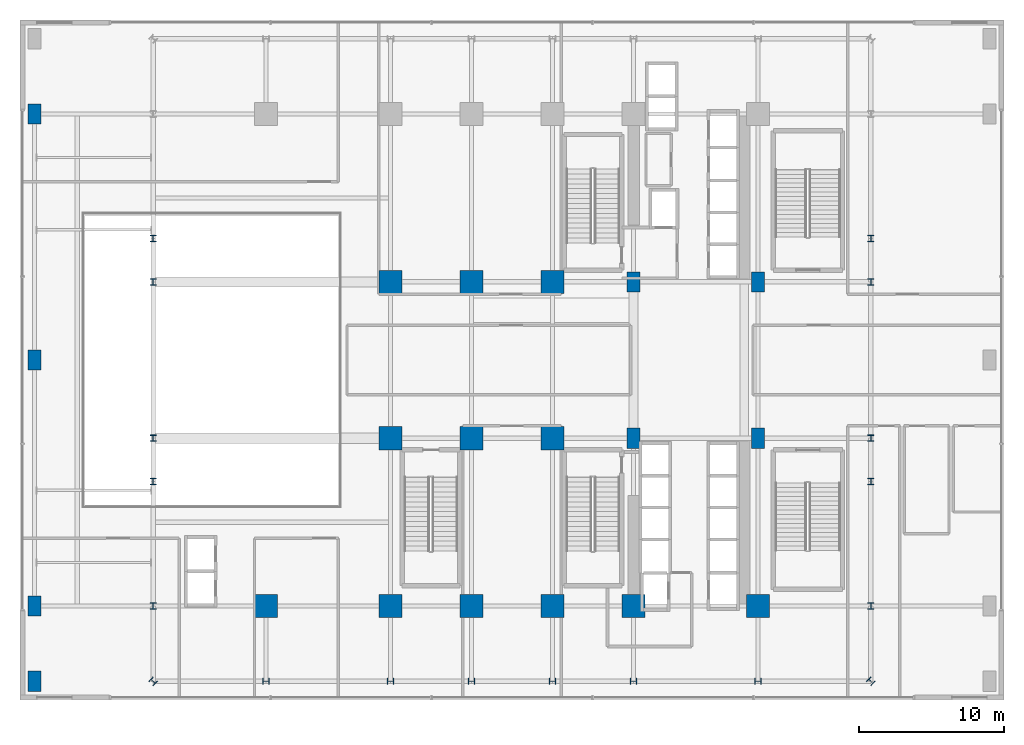
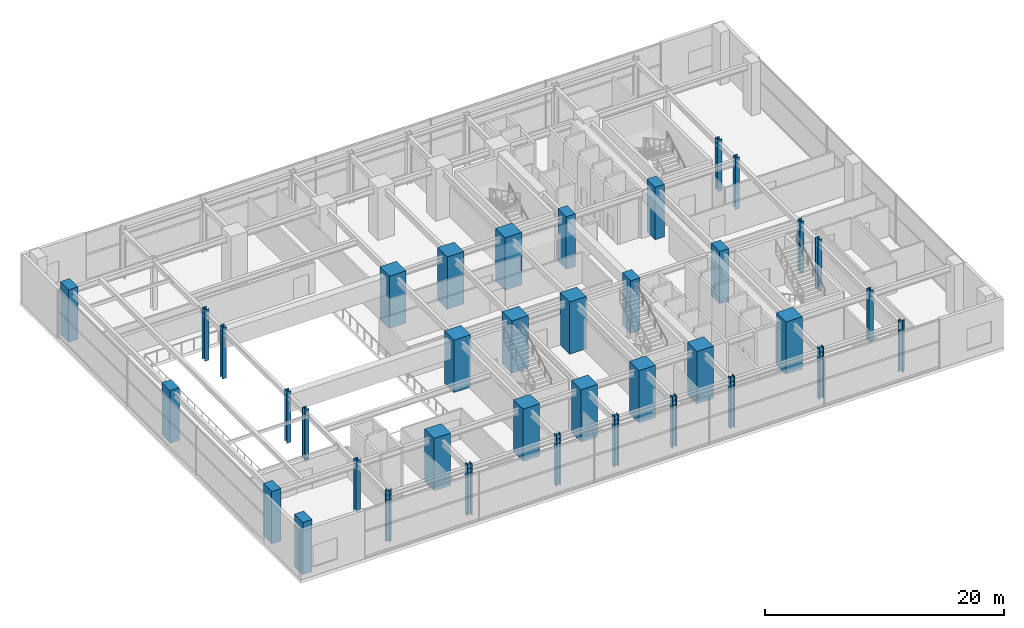
# One storey, part 1 of 35: 38 columns.
"""IFC4 building model written with IfcOpenShell, lengths in metres."""

from ifc_helpers import new_model, si_unit, direction, frame, origin, origin_2d, place, context, subcontext, project, spatial, rectangle, i_section, extrude, source, transform, mapped, material, material_profile, profile_set, type_object, element, save


model = new_model("IFC4")

# Units and contexts
model_context = context("Model", 3, precision=1e-05, world=origin(), true_north=direction((0.0, 1.0)))
body_context = subcontext(model_context, "Body", "Model", "MODEL_VIEW")
ifc_project = project(units=[si_unit("LENGTHUNIT", "METRE"), si_unit("AREAUNIT", "SQUARE_METRE"), si_unit("VOLUMEUNIT", "CUBIC_METRE"), si_unit("PLANEANGLEUNIT", "RADIAN"), si_unit("MASSUNIT", "GRAM", prefix="KILO")], contexts=[model_context])

# Site, building, storey
site_placement = place(None, origin())
site = spatial("IfcSite", under=ifc_project, at=site_placement, CompositionType="ELEMENT")
building_placement = place(site_placement, origin())
building = spatial("IfcBuilding", under=site, at=building_placement, Name="Nahalor Promenade Grand Hotel", CompositionType="ELEMENT")
storey_placement = place(building_placement, frame((0.0, 0.0, 21.60009765625)))
storey = spatial("IfcBuildingStorey", under=building, at=storey_placement, Name="L04", CompositionType="ELEMENT", Elevation=21.60009765625)

# Columns
ifc_material_1 = material(Name="Concrete B-70 (C60/75)", Category="concrete")
ifc_material_profile_1 = material_profile(ifc_material_1, rectangle(XDim=1.6, YDim=1.6, at=origin_2d()), Name="RC 1600x1600")
ifc_profile_set_1 = profile_set([ifc_material_profile_1], Name="Concrete B-70 (C60/75)")
column_type_1 = type_object("IfcColumnType", Name="Col-RC-1600", PredefinedType="COLUMN", material=ifc_profile_set_1)
shared_shape_1 = source(origin(), body_context, "Body", "SweptSolid", [
    extrude(rectangle(XDim=1.6, YDim=1.6, at=origin_2d()), origin(), (0.0, 0.0, 1.0), 5.35498046875),
])
for number, where, z_axis, x_axis, name in (
    (1, (-17.0, -17.0, 0.0), (0.0, 0.0, 1.0), (1.0, 0.0, 0.0), "COL-L04-I00"),
    (2, (-8.39990234375, -17.0, 0.0), (0.0, 0.0, 1.0), (1.0, 0.0, 0.0), "COL-L04-I10"),
    (3, (-8.39990234375, -5.39990234375, 0.0), (0.0, 0.0, 1.0), (1.0, 0.0, 0.0), "COL-L04-I11"),
    (4, (-8.39990234375, 5.39990234375, 0.0), (0.0, 0.0, 1.0), (1.0, 0.0, 0.0), "COL-L04-I12"),
    (5, (-2.800048828125, -17.0, 0.0), (0.0, 0.0, 1.0), (1.0, 0.0, 0.0), "COL-L04-I20"),
    (6, (-2.800048828125, -5.39990234375, 0.0), (0.0, 0.0, 1.0), (1.0, 0.0, 0.0), "COL-L04-I21"),
    (7, (-2.800048828125, 5.39990234375, 0.0), (0.0, 0.0, 1.0), (1.0, 0.0, 0.0), "COL-L04-I22"),
    (8, (2.800048828125, -17.0, 0.0), (0.0, 0.0, 1.0), (1.0, 0.0, 0.0), "COL-L04-I30"),
    (9, (2.800048828125, -5.39990234375, 0.0), (0.0, 0.0, 1.0), (1.0, 0.0, 0.0), "COL-L04-I31"),
    (10, (2.800048828125, 5.39990234375, 0.0), (0.0, 0.0, 1.0), (1.0, 0.0, 0.0), "COL-L04-I32"),
    (11, (8.39990234375, -17.0, 0.0), (0.0, 0.0, 1.0), (1.0, 0.0, 0.0), "COL-L04-I40"),
    (12, (17.0, -17.0, 0.0), (0.0, 0.0, 1.0), (1.0, 0.0, 0.0), "COL-L04-I50"),
):
    element("IfcColumn", number, at=place(storey_placement, frame(where, z_axis=z_axis, x_axis=x_axis)), inside=storey, type_object=column_type_1, Name=name, PredefinedType="COLUMN", context=body_context, shape_type="MappedRepresentation", body=[
        mapped(shared_shape_1, transform((0.0, 0.0, 0.0), scale=1.0)),
    ])
ifc_material_2 = material(Name="Concrete B-60 (C50/60)", Category="concrete")
ifc_material_profile_2 = material_profile(ifc_material_2, rectangle(XDim=0.9, YDim=1.4, at=origin_2d()), Name="RC 900x1400")
ifc_profile_set_2 = profile_set([ifc_material_profile_2], Name="Concrete B-60 (C50/60)")
column_type_2 = type_object("IfcColumnType", Name="Col-Pilaster-1400", PredefinedType="PILASTER", material=ifc_profile_set_2)
shared_shape_2 = source(origin(), body_context, "Body", "SweptSolid", [
    extrude(rectangle(XDim=0.9, YDim=1.4, at=origin_2d()), origin(), (0.0, 0.0, 1.0), 5.35498046875),
])
for number, where, z_axis, x_axis, name in (
    (13, (8.39990234375, -5.39990234375, 0.0), (0.0, 0.0, 1.0), (1.0, 0.0, 0.0), "COL-L04-I41"),
    (14, (8.39990234375, 5.39990234375, 0.0), (0.0, 0.0, 1.0), (1.0, 0.0, 0.0), "COL-L04-I42"),
    (15, (17.0, -5.39990234375, 0.0), (0.0, 0.0, 1.0), (1.0, 0.0, 0.0), "COL-L04-I51"),
    (16, (17.0, 5.39990234375, 0.0), (0.0, 0.0, 1.0), (1.0, 0.0, 0.0), "COL-L04-I52"),
    (17, (-33.0, -22.199951171875, 0.0), (0.0, 0.0, 1.0), (1.0, 0.0, 0.0), "COL-L04-PC-W0"),
    (18, (-33.0, -17.0, 0.0), (0.0, 0.0, 1.0), (1.0, 0.0, 0.0), "COL-L04-PC-W1"),
    (19, (-33.0, 0.0, 0.0), (0.0, 0.0, 1.0), (1.0, 0.0, 0.0), "COL-L04-PC-W2"),
    (20, (-33.0, 17.0, 0.0), (0.0, 0.0, 1.0), (1.0, 0.0, 0.0), "COL-L04-PC-W3"),
):
    element("IfcColumn", number, at=place(storey_placement, frame(where, z_axis=z_axis, x_axis=x_axis)), inside=storey, type_object=column_type_2, Name=name, PredefinedType="PILASTER", context=body_context, shape_type="MappedRepresentation", body=[
        mapped(shared_shape_2, transform((0.0, 0.0, 0.0), scale=1.0)),
    ])
ifc_material_3 = material(Name="Steel S355J2", Category="steel")
ifc_material_profile_3 = material_profile(ifc_material_3, i_section(OverallWidth=0.416, OverallDepth=0.446, WebThickness=0.025, FlangeThickness=0.04, at=origin_2d()), Name="HD 400x509")
ifc_profile_set_3 = profile_set([ifc_material_profile_3], Name="Steel S355J2")
column_type_3 = type_object("IfcColumnType", Name="Col-Steel-HD509", PredefinedType="COLUMN", material=ifc_profile_set_3)
shared_shape_3 = source(origin(), body_context, "Body", "SweptSolid", [
    extrude(i_section(OverallWidth=0.416, OverallDepth=0.446, WebThickness=0.025, FlangeThickness=0.04, at=origin_2d()), origin(), (0.0, 0.0, 1.0), 5.2548828125),
])
for number, where, z_axis, x_axis, name in (
    (21, (-24.800048828125, -17.0, 0.0), (0.0, 0.0, 1.0), (1.0, 0.0, 0.0), "COL-L04-PW-W0"),
    (22, (24.800048828125, -17.0, 0.0), (0.0, 0.0, 1.0), (1.0, 0.0, 0.0), "COL-L04-PW-E0"),
    (23, (-24.800048828125, -8.39990234375, 0.0), (0.0, 0.0, 1.0), (1.0, 0.0, 0.0), "COL-L04-PW-W1"),
    (24, (24.800048828125, -8.39990234375, 0.0), (0.0, 0.0, 1.0), (1.0, 0.0, 0.0), "COL-L04-PW-E1"),
    (25, (-24.800048828125, -5.39990234375, 0.0), (0.0, 0.0, 1.0), (1.0, 0.0, 0.0), "COL-L04-PW-W2"),
    (26, (24.800048828125, -5.39990234375, 0.0), (0.0, 0.0, 1.0), (1.0, 0.0, 0.0), "COL-L04-PW-E2"),
    (27, (-24.800048828125, 5.39990234375, 0.0), (0.0, 0.0, 1.0), (1.0, 0.0, 0.0), "COL-L04-PW-W3"),
    (28, (24.800048828125, 5.39990234375, 0.0), (0.0, 0.0, 1.0), (1.0, 0.0, 0.0), "COL-L04-PW-E3"),
    (29, (-24.800048828125, 8.39990234375, 0.0), (0.0, 0.0, 1.0), (1.0, 0.0, 0.0), "COL-L04-PW-W4"),
    (30, (24.800048828125, 8.39990234375, 0.0), (0.0, 0.0, 1.0), (1.0, 0.0, 0.0), "COL-L04-PW-E4"),
    (31, (-17.0, -22.199951171875, 0.0), (0.0, 0.0, 1.0), (0.0, 1.0, 0.0), "COL-L04-PN-S0"),
    (32, (-8.39990234375, -22.199951171875, 0.0), (0.0, 0.0, 1.0), (0.0, 1.0, 0.0), "COL-L04-PN-S1"),
    (33, (-2.800048828125, -22.199951171875, 0.0), (0.0, 0.0, 1.0), (0.0, 1.0, 0.0), "COL-L04-PN-S2"),
    (34, (2.800048828125, -22.199951171875, 0.0), (0.0, 0.0, 1.0), (0.0, 1.0, 0.0), "COL-L04-PN-S3"),
    (35, (8.39990234375, -22.199951171875, 0.0), (0.0, 0.0, 1.0), (0.0, 1.0, 0.0), "COL-L04-PN-S4"),
    (36, (17.0, -22.199951171875, 0.0), (0.0, 0.0, 1.0), (0.0, 1.0, 0.0), "COL-L04-PN-S5"),
    (37, (-24.800048828125, -22.199951171875, 0.0), (0.0, 0.0, 1.0), (0.707106781187, 0.707106781187, 0.0), "COL-L04-CRN-SW"),
    (38, (24.800048828125, -22.199951171875, 0.0), (0.0, 0.0, 1.0), (0.707106781187, 0.707106781187, 0.0), "COL-L04-CRN-SE"),
):
    element("IfcColumn", number, at=place(storey_placement, frame(where, z_axis=z_axis, x_axis=x_axis)), inside=storey, type_object=column_type_3, Name=name, PredefinedType="COLUMN", context=body_context, shape_type="MappedRepresentation", body=[
        mapped(shared_shape_3, transform((0.0, 0.0, 0.0), scale=1.0)),
    ])

save(model, "model.ifc")
